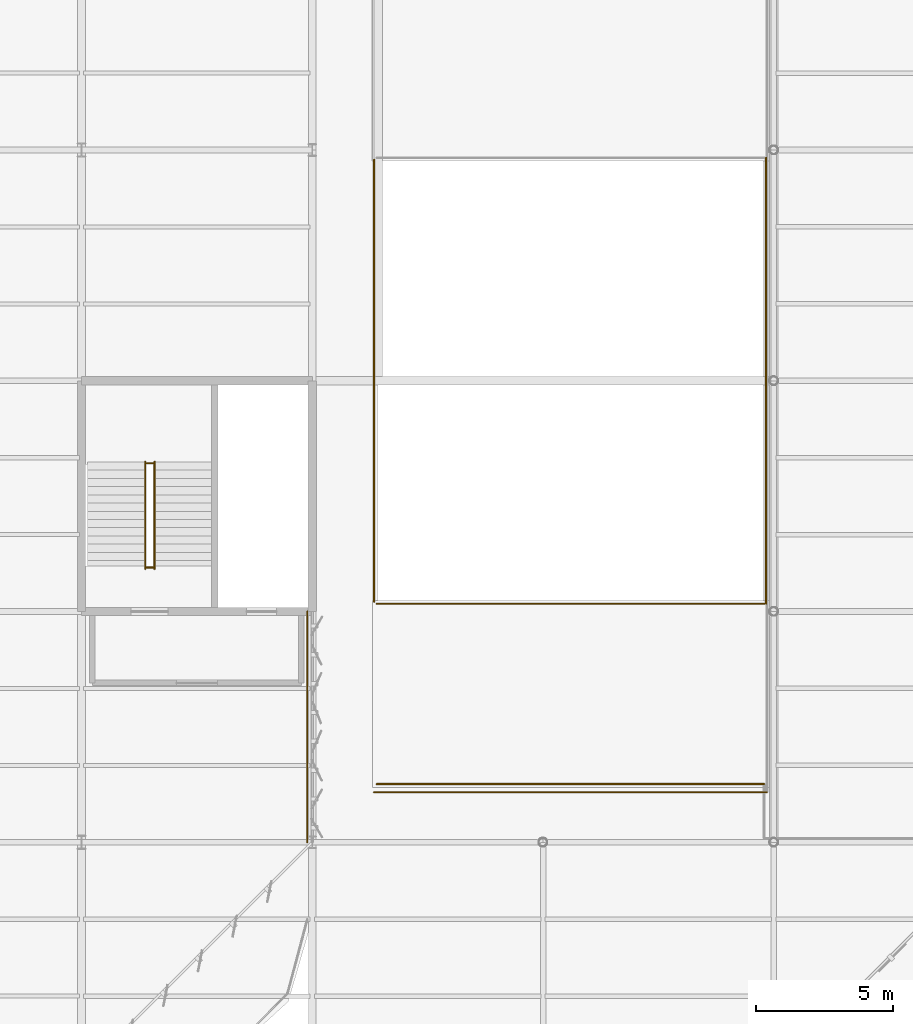
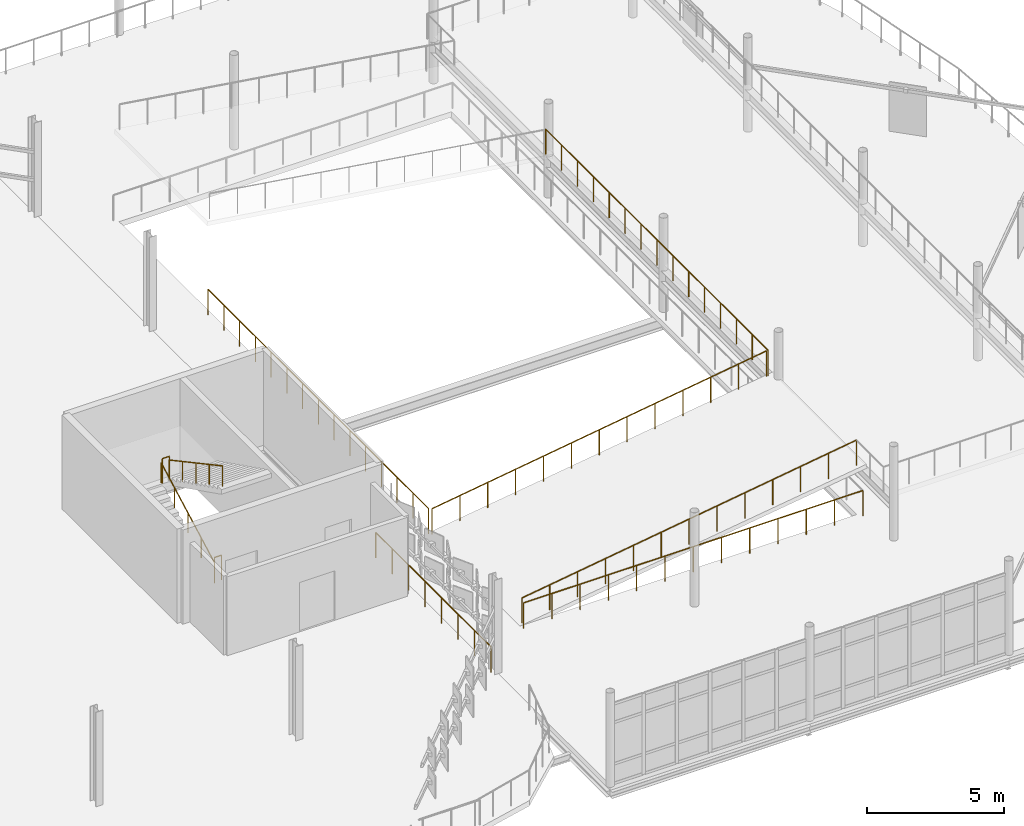
# One storey, part 67 of 69: 10 railings.
"""IFC4 building model written with IfcOpenShell, lengths in metres."""

from ifc_helpers import new_model, si_unit, direction, frame, origin, origin_2d, place, context, subcontext, project, spatial, circle, extrude, material, type_object, element, save


model = new_model("IFC4")

# Units and contexts
model_context = context("Model", 3, precision=1e-05, world=origin(), true_north=direction((0.0, 1.0)))
body_context = subcontext(model_context, "Body", "Model", "MODEL_VIEW")
ifc_project = project(units=[si_unit("LENGTHUNIT", "METRE"), si_unit("AREAUNIT", "SQUARE_METRE"), si_unit("VOLUMEUNIT", "CUBIC_METRE"), si_unit("PLANEANGLEUNIT", "RADIAN"), si_unit("MASSUNIT", "GRAM", prefix="KILO")], contexts=[model_context])

# Site, building, storey
site_placement = place(None, origin())
site = spatial("IfcSite", under=ifc_project, at=site_placement, CompositionType="ELEMENT")
building_placement = place(site_placement, origin())
building = spatial("IfcBuilding", under=site, at=building_placement, Name="Qalvenar Corner Mobility Hub", CompositionType="ELEMENT")
storey_placement = place(building_placement, frame((0.0, 0.0, 13.199951171875)))
storey = spatial("IfcBuildingStorey", under=building, at=storey_placement, Name="L03", CompositionType="ELEMENT", Elevation=13.199951171875)

# Railings
ifc_material_1 = material(Name="Art Nouveau Bronze-Finished Steel Balustrade", Category="steel")
railing_type_1 = type_object("IfcRailingType", Name="RL-GUARD-110", PredefinedType="GUARDRAIL", material=ifc_material_1)
for number, where, name in (
    (1, (136.739990234375, 85.60009765625, 0.0), "Stair Arrival Slot Guard C4-L03"),
    (2, (136.739990234375, 89.39990234375, 2.10009765625), "Stair Half-Landing Well Guard ST4-L03"),
):
    element("IfcRailing", number, at=place(storey_placement, frame(where)), inside=storey, type_object=railing_type_1, Name=name, PredefinedType="GUARDRAIL", context=body_context, shape_type="SweptSolid", body=[
        extrude(circle(Radius=0.02392578125, at=origin_2d()), frame((0.0, 0.0, 1.09619140625), z_axis=(1.0, 0.0, 0.0), x_axis=(0.0, 1.0, 0.0)), (0.0, 0.0, 1.0), 0.300048828125),
        extrude(circle(Radius=0.02099609375, at=origin_2d()), origin(), (0.0, 0.0, 1.0), 1.072021484375),
        extrude(circle(Radius=0.02099609375, at=origin_2d()), frame((0.300048828125, 0.0, 0.0)), (0.0, 0.0, 1.0), 1.072021484375),
    ])
ifc_material_2 = material(Name="Galvanised Steel Deck Edge Barrier", Category="steel")
railing_type_2 = type_object("IfcRailingType", Name="RL-GUARD-115", PredefinedType="GUARDRAIL", material=ifc_material_2)
railing_1_placement = place(storey_placement, frame((145.14990234375, 84.280029296875, 0.0)))
element("IfcRailing", 3, at=railing_1_placement, inside=storey, type_object=railing_type_2, Name="Ramp Guardrail L03-L04-GR1", PredefinedType="GUARDRAIL", context=body_context, shape_type="SweptSolid", body=[
    extrude(circle(Radius=0.02392578125, at=origin_2d()), frame((0.0, 0.0, 1.1259765625), z_axis=(0.989089328396, 0.0, 0.147317006664), x_axis=(0.0, 1.0, 0.0)), (0.0, 0.0, 1.0), 14.255615234375),
    extrude(circle(Radius=0.02099609375, at=origin_2d()), origin(), (0.0, 0.0, 1.0), 1.101806640625),
    extrude(circle(Radius=0.02099609375, at=origin_2d()), frame((1.175048828125, 0.0, 0.175048828125)), (0.0, 0.0, 1.0), 1.101806640625),
    extrude(circle(Radius=0.02099609375, at=origin_2d()), frame((2.35009765625, 0.0, 0.35009765625)), (0.0, 0.0, 1.0), 1.101806640625),
    extrude(circle(Radius=0.02099609375, at=origin_2d()), frame((3.52490234375, 0.0, 0.52490234375)), (0.0, 0.0, 1.0), 1.101806640625),
    extrude(circle(Radius=0.02099609375, at=origin_2d()), frame((4.699951171875, 0.0, 0.699951171875)), (0.0, 0.0, 1.0), 1.101806640625),
    extrude(circle(Radius=0.02099609375, at=origin_2d()), frame((5.875, 0.0, 0.875)), (0.0, 0.0, 1.0), 1.101806640625),
    extrude(circle(Radius=0.02099609375, at=origin_2d()), frame((7.050048828125, 0.0, 1.050048828125)), (0.0, 0.0, 1.0), 1.101806640625),
    extrude(circle(Radius=0.02099609375, at=origin_2d()), frame((8.22509765625, 0.0, 1.22509765625)), (0.0, 0.0, 1.0), 1.101806640625),
    extrude(circle(Radius=0.02099609375, at=origin_2d()), frame((9.400146484375, 0.0, 1.400146484375)), (0.0, 0.0, 1.0), 1.101806640625),
    extrude(circle(Radius=0.02099609375, at=origin_2d()), frame((10.5751953125, 0.0, 1.5751953125)), (0.0, 0.0, 1.0), 1.101806640625),
    extrude(circle(Radius=0.02099609375, at=origin_2d()), frame((11.75, 0.0, 1.75)), (0.0, 0.0, 1.0), 1.101806640625),
    extrude(circle(Radius=0.02099609375, at=origin_2d()), frame((12.925048828125, 0.0, 1.925048828125)), (0.0, 0.0, 1.0), 1.101806640625),
    extrude(circle(Radius=0.02099609375, at=origin_2d()), frame((14.10009765625, 0.0, 2.10009765625)), (0.0, 0.0, 1.0), 1.101806640625),
])
railing_2_placement = place(storey_placement, frame((145.14990234375, 77.719970703125, 0.0)))
element("IfcRailing", 4, at=railing_2_placement, inside=storey, type_object=railing_type_2, Name="Ramp Guardrail L03-L04-GR3", PredefinedType="GUARDRAIL", context=body_context, shape_type="SweptSolid", body=[
    extrude(circle(Radius=0.02392578125, at=origin_2d()), frame((0.0, 0.0, 1.1259765625), z_axis=(0.989089328396, 0.0, 0.147317006664), x_axis=(0.0, 1.0, 0.0)), (0.0, 0.0, 1.0), 14.255615234375),
    extrude(circle(Radius=0.02099609375, at=origin_2d()), origin(), (0.0, 0.0, 1.0), 1.101806640625),
    extrude(circle(Radius=0.02099609375, at=origin_2d()), frame((1.175048828125, 0.0, 0.175048828125)), (0.0, 0.0, 1.0), 1.101806640625),
    extrude(circle(Radius=0.02099609375, at=origin_2d()), frame((2.35009765625, 0.0, 0.35009765625)), (0.0, 0.0, 1.0), 1.101806640625),
    extrude(circle(Radius=0.02099609375, at=origin_2d()), frame((3.52490234375, 0.0, 0.52490234375)), (0.0, 0.0, 1.0), 1.101806640625),
    extrude(circle(Radius=0.02099609375, at=origin_2d()), frame((4.699951171875, 0.0, 0.699951171875)), (0.0, 0.0, 1.0), 1.101806640625),
    extrude(circle(Radius=0.02099609375, at=origin_2d()), frame((5.875, 0.0, 0.875)), (0.0, 0.0, 1.0), 1.101806640625),
    extrude(circle(Radius=0.02099609375, at=origin_2d()), frame((7.050048828125, 0.0, 1.050048828125)), (0.0, 0.0, 1.0), 1.101806640625),
    extrude(circle(Radius=0.02099609375, at=origin_2d()), frame((8.22509765625, 0.0, 1.22509765625)), (0.0, 0.0, 1.0), 1.101806640625),
    extrude(circle(Radius=0.02099609375, at=origin_2d()), frame((9.400146484375, 0.0, 1.400146484375)), (0.0, 0.0, 1.0), 1.101806640625),
    extrude(circle(Radius=0.02099609375, at=origin_2d()), frame((10.5751953125, 0.0, 1.5751953125)), (0.0, 0.0, 1.0), 1.101806640625),
    extrude(circle(Radius=0.02099609375, at=origin_2d()), frame((11.75, 0.0, 1.75)), (0.0, 0.0, 1.0), 1.101806640625),
    extrude(circle(Radius=0.02099609375, at=origin_2d()), frame((12.925048828125, 0.0, 1.925048828125)), (0.0, 0.0, 1.0), 1.101806640625),
    extrude(circle(Radius=0.02099609375, at=origin_2d()), frame((14.10009765625, 0.0, 2.10009765625)), (0.0, 0.0, 1.0), 1.101806640625),
])
railing_3_placement = place(storey_placement, frame((159.320068359375, 84.280029296875, 2.10009765625)))
element("IfcRailing", 5, at=railing_3_placement, inside=storey, type_object=railing_type_2, Name="Ramp Guardrail L03-L04-GRL-IN", PredefinedType="GUARDRAIL", context=body_context, shape_type="SweptSolid", body=[
    extrude(circle(Radius=0.02392578125, at=origin_2d()), frame((0.0, 0.0, 1.1259765625), z_axis=(0.0, 1.0, 0.0), x_axis=(-1.0, 0.0, 0.0)), (0.0, 0.0, 1.0), 16.239990234375),
    extrude(circle(Radius=0.02099609375, at=origin_2d()), origin(), (0.0, 0.0, 1.0), 1.101806640625),
    extrude(circle(Radius=0.02099609375, at=origin_2d()), frame((0.0, 1.159912109375, 0.0)), (0.0, 0.0, 1.0), 1.101806640625),
    extrude(circle(Radius=0.02099609375, at=origin_2d()), frame((0.0, 2.320068359375, 0.0)), (0.0, 0.0, 1.0), 1.101806640625),
    extrude(circle(Radius=0.02099609375, at=origin_2d()), frame((0.0, 3.47998046875, 0.0)), (0.0, 0.0, 1.0), 1.101806640625),
    extrude(circle(Radius=0.02099609375, at=origin_2d()), frame((0.0, 4.639892578125, 0.0)), (0.0, 0.0, 1.0), 1.101806640625),
    extrude(circle(Radius=0.02099609375, at=origin_2d()), frame((0.0, 5.800048828125, 0.0)), (0.0, 0.0, 1.0), 1.101806640625),
    extrude(circle(Radius=0.02099609375, at=origin_2d()), frame((0.0, 6.9599609375, 0.0)), (0.0, 0.0, 1.0), 1.101806640625),
    extrude(circle(Radius=0.02099609375, at=origin_2d()), frame((0.0, 8.1201171875, 0.0)), (0.0, 0.0, 1.0), 1.101806640625),
    extrude(circle(Radius=0.02099609375, at=origin_2d()), frame((0.0, 9.280029296875, 0.0)), (0.0, 0.0, 1.0), 1.101806640625),
    extrude(circle(Radius=0.02099609375, at=origin_2d()), frame((0.0, 10.43994140625, 0.0)), (0.0, 0.0, 1.0), 1.101806640625),
    extrude(circle(Radius=0.02099609375, at=origin_2d()), frame((0.0, 11.60009765625, 0.0)), (0.0, 0.0, 1.0), 1.101806640625),
    extrude(circle(Radius=0.02099609375, at=origin_2d()), frame((0.0, 12.760009765625, 0.0)), (0.0, 0.0, 1.0), 1.101806640625),
    extrude(circle(Radius=0.02099609375, at=origin_2d()), frame((0.0, 13.919921875, 0.0)), (0.0, 0.0, 1.0), 1.101806640625),
    extrude(circle(Radius=0.02099609375, at=origin_2d()), frame((0.0, 15.080078125, 0.0)), (0.0, 0.0, 1.0), 1.101806640625),
    extrude(circle(Radius=0.02099609375, at=origin_2d()), frame((0.0, 16.239990234375, 0.0)), (0.0, 0.0, 1.0), 1.101806640625),
])
railing_4_placement = place(storey_placement, frame((142.6201171875, 75.60009765625, 0.0)))
element("IfcRailing", 6, at=railing_4_placement, inside=storey, type_object=railing_type_2, Name="Parking Deck Edge Barrier L03-ES-1", PredefinedType="GUARDRAIL", context=body_context, shape_type="SweptSolid", body=[
    extrude(circle(Radius=0.02392578125, at=origin_2d()), frame((0.0, 0.0, 1.1259765625), z_axis=(0.0, 1.0, 0.0), x_axis=(-1.0, 0.0, 0.0)), (0.0, 0.0, 1.0), 8.39990234375),
    extrude(circle(Radius=0.02099609375, at=origin_2d()), origin(), (0.0, 0.0, 1.0), 1.101806640625),
    extrude(circle(Radius=0.02099609375, at=origin_2d()), frame((0.0, 1.199951171875, 0.0)), (0.0, 0.0, 1.0), 1.101806640625),
    extrude(circle(Radius=0.02099609375, at=origin_2d()), frame((0.0, 2.39990234375, 0.0)), (0.0, 0.0, 1.0), 1.101806640625),
    extrude(circle(Radius=0.02099609375, at=origin_2d()), frame((0.0, 3.599853515625, 0.0)), (0.0, 0.0, 1.0), 1.101806640625),
    extrude(circle(Radius=0.02099609375, at=origin_2d()), frame((0.0, 4.800048828125, 0.0)), (0.0, 0.0, 1.0), 1.101806640625),
    extrude(circle(Radius=0.02099609375, at=origin_2d()), frame((0.0, 6.0, 0.0)), (0.0, 0.0, 1.0), 1.101806640625),
    extrude(circle(Radius=0.02099609375, at=origin_2d()), frame((0.0, 7.199951171875, 0.0)), (0.0, 0.0, 1.0), 1.101806640625),
    extrude(circle(Radius=0.02099609375, at=origin_2d()), frame((0.0, 8.39990234375, 0.0)), (0.0, 0.0, 1.0), 1.101806640625),
])
railing_5_placement = place(storey_placement, frame((145.050048828125, 77.419921875, 0.0)))
element("IfcRailing", 7, at=railing_5_placement, inside=storey, type_object=railing_type_2, Name="Ramp Well Guardrail South L03", PredefinedType="GUARDRAIL", context=body_context, shape_type="SweptSolid", body=[
    extrude(circle(Radius=0.02392578125, at=origin_2d()), frame((0.0, 0.0, 1.1259765625), z_axis=(1.0, 0.0, 0.0), x_axis=(0.0, 1.0, 0.0)), (0.0, 0.0, 1.0), 14.300048828125),
    extrude(circle(Radius=0.02099609375, at=origin_2d()), origin(), (0.0, 0.0, 1.0), 1.101806640625),
    extrude(circle(Radius=0.02099609375, at=origin_2d()), frame((1.191650390625, 0.0, 0.0)), (0.0, 0.0, 1.0), 1.101806640625),
    extrude(circle(Radius=0.02099609375, at=origin_2d()), frame((2.38330078125, 0.0, 0.0)), (0.0, 0.0, 1.0), 1.101806640625),
    extrude(circle(Radius=0.02099609375, at=origin_2d()), frame((3.574951171875, 0.0, 0.0)), (0.0, 0.0, 1.0), 1.101806640625),
    extrude(circle(Radius=0.02099609375, at=origin_2d()), frame((4.7666015625, 0.0, 0.0)), (0.0, 0.0, 1.0), 1.101806640625),
    extrude(circle(Radius=0.02099609375, at=origin_2d()), frame((5.958251953125, 0.0, 0.0)), (0.0, 0.0, 1.0), 1.101806640625),
    extrude(circle(Radius=0.02099609375, at=origin_2d()), frame((7.14990234375, 0.0, 0.0)), (0.0, 0.0, 1.0), 1.101806640625),
    extrude(circle(Radius=0.02099609375, at=origin_2d()), frame((8.341796875, 0.0, 0.0)), (0.0, 0.0, 1.0), 1.101806640625),
    extrude(circle(Radius=0.02099609375, at=origin_2d()), frame((9.533447265625, 0.0, 0.0)), (0.0, 0.0, 1.0), 1.101806640625),
    extrude(circle(Radius=0.02099609375, at=origin_2d()), frame((10.72509765625, 0.0, 0.0)), (0.0, 0.0, 1.0), 1.101806640625),
    extrude(circle(Radius=0.02099609375, at=origin_2d()), frame((11.916748046875, 0.0, 0.0)), (0.0, 0.0, 1.0), 1.101806640625),
    extrude(circle(Radius=0.02099609375, at=origin_2d()), frame((13.1083984375, 0.0, 0.0)), (0.0, 0.0, 1.0), 1.101806640625),
    extrude(circle(Radius=0.02099609375, at=origin_2d()), frame((14.300048828125, 0.0, 0.0)), (0.0, 0.0, 1.0), 1.101806640625),
])
railing_6_placement = place(storey_placement, frame((145.050048828125, 84.35009765625, 0.0)))
element("IfcRailing", 8, at=railing_6_placement, inside=storey, type_object=railing_type_2, Name="Ramp Well Guardrail West Pier L03", PredefinedType="GUARDRAIL", context=body_context, shape_type="SweptSolid", body=[
    extrude(circle(Radius=0.02392578125, at=origin_2d()), frame((0.0, 0.0, 1.1259765625), z_axis=(0.0, 1.0, 0.0), x_axis=(-1.0, 0.0, 0.0)), (0.0, 0.0, 1.0), 16.099853515625),
    extrude(circle(Radius=0.02099609375, at=origin_2d()), origin(), (0.0, 0.0, 1.0), 1.101806640625),
    extrude(circle(Radius=0.02099609375, at=origin_2d()), frame((0.0, 1.14990234375, 0.0)), (0.0, 0.0, 1.0), 1.101806640625),
    extrude(circle(Radius=0.02099609375, at=origin_2d()), frame((0.0, 2.300048828125, 0.0)), (0.0, 0.0, 1.0), 1.101806640625),
    extrude(circle(Radius=0.02099609375, at=origin_2d()), frame((0.0, 3.449951171875, 0.0)), (0.0, 0.0, 1.0), 1.101806640625),
    extrude(circle(Radius=0.02099609375, at=origin_2d()), frame((0.0, 4.599853515625, 0.0)), (0.0, 0.0, 1.0), 1.101806640625),
    extrude(circle(Radius=0.02099609375, at=origin_2d()), frame((0.0, 5.75, 0.0)), (0.0, 0.0, 1.0), 1.101806640625),
    extrude(circle(Radius=0.02099609375, at=origin_2d()), frame((0.0, 6.89990234375, 0.0)), (0.0, 0.0, 1.0), 1.101806640625),
    extrude(circle(Radius=0.02099609375, at=origin_2d()), frame((0.0, 8.0498046875, 0.0)), (0.0, 0.0, 1.0), 1.101806640625),
    extrude(circle(Radius=0.02099609375, at=origin_2d()), frame((0.0, 9.199951171875, 0.0)), (0.0, 0.0, 1.0), 1.101806640625),
    extrude(circle(Radius=0.02099609375, at=origin_2d()), frame((0.0, 10.349853515625, 0.0)), (0.0, 0.0, 1.0), 1.101806640625),
    extrude(circle(Radius=0.02099609375, at=origin_2d()), frame((0.0, 11.5, 0.0)), (0.0, 0.0, 1.0), 1.101806640625),
    extrude(circle(Radius=0.02099609375, at=origin_2d()), frame((0.0, 12.64990234375, 0.0)), (0.0, 0.0, 1.0), 1.101806640625),
    extrude(circle(Radius=0.02099609375, at=origin_2d()), frame((0.0, 13.7998046875, 0.0)), (0.0, 0.0, 1.0), 1.101806640625),
    extrude(circle(Radius=0.02099609375, at=origin_2d()), frame((0.0, 14.949951171875, 0.0)), (0.0, 0.0, 1.0), 1.101806640625),
    extrude(circle(Radius=0.02099609375, at=origin_2d()), frame((0.0, 16.099853515625, 0.0)), (0.0, 0.0, 1.0), 1.101806640625),
])
ifc_material_3 = material(Name="Brushed Stainless Steel Handrail", Category="steel")
railing_type_3 = type_object("IfcRailingType", Name="RL-HAND-092", PredefinedType="HANDRAIL", material=ifc_material_3)
railing_7_placement = place(storey_placement, frame((136.719970703125, 85.550048828125, 0.0)))
element("IfcRailing", 9, at=railing_7_placement, inside=storey, type_object=railing_type_3, Name="Stair Handrail ST4-L03-1", PredefinedType="HANDRAIL", context=body_context, shape_type="SweptSolid", body=[
    extrude(circle(Radius=0.02392578125, at=origin_2d()), frame((0.0, 0.0, 0.89599609375), z_axis=(0.0, 0.880456940745, 0.474126117709), x_axis=(-1.0, 0.0, 0.0)), (0.0, 0.0, 1.0), 4.429443359375),
    extrude(circle(Radius=0.02099609375, at=origin_2d()), origin(), (0.0, 0.0, 1.0), 0.871826171875),
    extrude(circle(Radius=0.02099609375, at=origin_2d()), frame((0.0, 0.97509765625, 0.52490234375)), (0.0, 0.0, 1.0), 0.871826171875),
    extrude(circle(Radius=0.02099609375, at=origin_2d()), frame((0.0, 1.949951171875, 1.050048828125)), (0.0, 0.0, 1.0), 0.871826171875),
    extrude(circle(Radius=0.02099609375, at=origin_2d()), frame((0.0, 2.9248046875, 1.5751953125)), (0.0, 0.0, 1.0), 0.871826171875),
    extrude(circle(Radius=0.02099609375, at=origin_2d()), frame((0.0, 3.89990234375, 2.10009765625)), (0.0, 0.0, 1.0), 0.871826171875),
])
railing_8_placement = place(storey_placement, frame((137.06005859375, 89.449951171875, 2.10009765625)))
element("IfcRailing", 10, at=railing_8_placement, inside=storey, type_object=railing_type_3, Name="Stair Handrail ST4-L03-2", PredefinedType="HANDRAIL", context=body_context, shape_type="SweptSolid", body=[
    extrude(circle(Radius=0.02392578125, at=origin_2d()), frame((0.0, 0.0, 0.89599609375), z_axis=(0.0, -0.88047994924, 0.474083388219), x_axis=(1.0, 0.0, 0.0)), (0.0, 0.0, 1.0), 4.42919921875),
    extrude(circle(Radius=0.02099609375, at=origin_2d()), origin(), (0.0, 0.0, 1.0), 0.871826171875),
    extrude(circle(Radius=0.02099609375, at=origin_2d()), frame((0.0, -0.97509765625, 0.52490234375)), (0.0, 0.0, 1.0), 0.871826171875),
    extrude(circle(Radius=0.02099609375, at=origin_2d()), frame((0.0, -1.949951171875, 1.0498046875)), (0.0, 0.0, 1.0), 0.871826171875),
    extrude(circle(Radius=0.02099609375, at=origin_2d()), frame((0.0, -2.9248046875, 1.574951171875)), (0.0, 0.0, 1.0), 0.871826171875),
    extrude(circle(Radius=0.02099609375, at=origin_2d()), frame((0.0, -3.89990234375, 2.099853515625)), (0.0, 0.0, 1.0), 0.871826171875),
])

save(model, "model.ifc")
